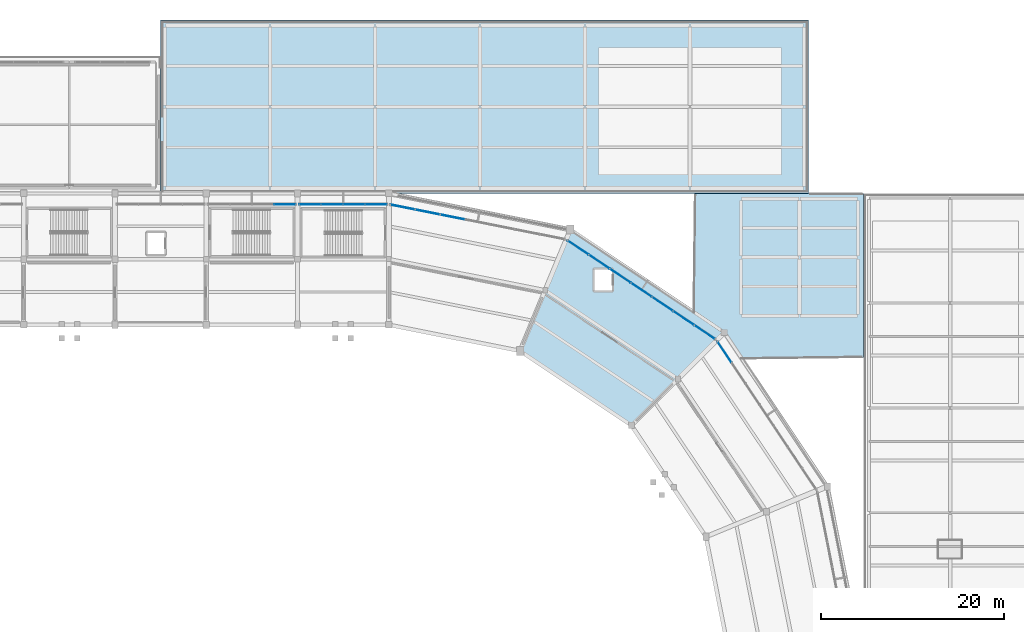
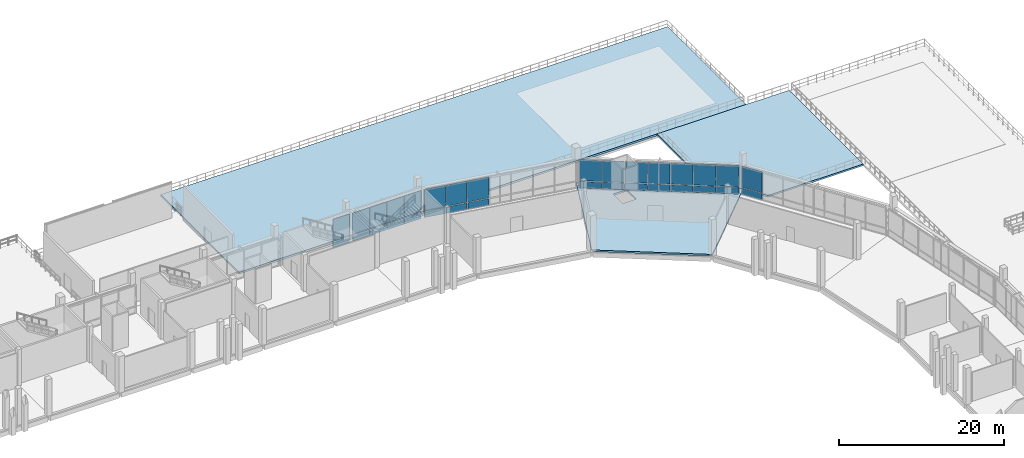
# One storey, part 68 of 111: 32 plates, 3 slabs, 5 elements without a shape of their own.
"""IFC4 building model written with IfcOpenShell, lengths in metres."""

import ifcopenshell
import ifcopenshell.guid

model = None  # the IFC model being written
_history = None  # IfcOwnerHistory: only IFC2X3 demands one
_inside = {}  # id of a spatial element -> (the spatial element, [elements in it])
_under = {}  # id of a project, library or spatial element -> (it, [spatial elements below it])
_declared = {}  # id of a project -> (the project, [libraries it declares])
_typed = {}  # id of a type object -> (the type object, [elements of that type])
_made_of = {}  # id of a material, layer set ... -> (it, [elements and type objects made of it])


def new_model(schema):
    """Start an empty IFC model of exactly this schema.

    Asked for "IFC4X3", IfcOpenShell would pick the latest addendum, in which some entities
    have other attributes; the version numbers below select the first issue.
    IFC2X3 requires an IfcOwnerHistory on every rooted entity: one is made here for all.
    """
    global model, _history
    if schema == "IFC4X3":
        model = ifcopenshell.file(schema_version=(4, 3, 0, 0))
    else:
        model = ifcopenshell.file(schema=schema)
    _inside.clear()
    _under.clear()
    _declared.clear()
    _typed.clear()
    _made_of.clear()
    _history = None
    if model.schema == "IFC2X3":
        org = make("IfcOrganization", Name="unknown")
        user = make(
            "IfcPersonAndOrganization",
            ThePerson=make("IfcPerson", FamilyName="unknown"),
            TheOrganization=org,
        )
        app = make(
            "IfcApplication",
            ApplicationDeveloper=org,
            Version="unknown",
            ApplicationFullName="unknown",
            ApplicationIdentifier="unknown",
        )
        _history = make(
            "IfcOwnerHistory",
            OwningUser=user,
            OwningApplication=app,
            ChangeAction="ADDED",
            CreationDate=0,
        )
    return model


def make(cls, **values):
    """One entity of the class cls with the attributes given. An attribute that is None is left unset."""
    return model.create_entity(
        cls, **{name: value for name, value in values.items() if value is not None}
    )


def rooted(cls, **values):
    """An entity with a GlobalId (a new one), such as an element, a storey or a relation."""
    return make(cls, GlobalId=ifcopenshell.guid.new(), OwnerHistory=_history, **values)


def si_unit(unit_type, name, prefix=None):
    """IfcSIUnit, for example si_unit("LENGTHUNIT", "METRE", prefix="MILLI")."""
    return make("IfcSIUnit", UnitType=unit_type, Prefix=prefix, Name=name)


def assignment(units):
    """IfcUnitAssignment: the units of a project."""
    return None if units is None else make("IfcUnitAssignment", Units=units)


def point(xyz):
    """IfcCartesianPoint."""
    return None if xyz is None else make("IfcCartesianPoint", Coordinates=xyz)


def direction(xyz):
    """IfcDirection."""
    return None if xyz is None else make("IfcDirection", DirectionRatios=xyz)


def frame(location, z_axis=None, x_axis=None):
    """IfcAxis2Placement3D, a coordinate frame: its origin and axes. An axis left out is left unset."""
    return make(
        "IfcAxis2Placement3D",
        Location=point(location),
        Axis=direction(z_axis),
        RefDirection=direction(x_axis),
    )


def frame_2d(location, x_axis=None):
    """IfcAxis2Placement2D, a coordinate frame in the plane: its origin and x axis."""
    return make(
        "IfcAxis2Placement2D", Location=point(location), RefDirection=direction(x_axis)
    )


def origin():
    """The frame at (0, 0, 0) with its axes left unset."""
    return frame((0.0, 0.0, 0.0))


def origin_2d():
    """The frame at (0, 0) in the plane with its x axis left unset."""
    return frame_2d((0.0, 0.0))


def place(relative_to, where):
    """IfcLocalPlacement: puts the frame where relative to a parent placement (None: the world)."""
    return make(
        "IfcLocalPlacement", PlacementRelTo=relative_to, RelativePlacement=where
    )


def context(
    kind, dimensions, precision=None, world=None, true_north=None, identifier=None
):
    """IfcGeometricRepresentationContext, for example the 3D "Model" context."""
    return make(
        "IfcGeometricRepresentationContext",
        ContextIdentifier=identifier,
        ContextType=kind,
        CoordinateSpaceDimension=dimensions,
        Precision=precision,
        WorldCoordinateSystem=world,
        TrueNorth=true_north,
    )


def subcontext(parent, identifier, kind, view, scale=None):
    """IfcGeometricRepresentationSubContext, for example "Body" below "Model"."""
    return make(
        "IfcGeometricRepresentationSubContext",
        ContextIdentifier=identifier,
        ContextType=kind,
        ParentContext=parent,
        TargetScale=scale,
        TargetView=view,
    )


def project(units=None, contexts=None):
    """IfcProject with its units and contexts."""
    return rooted(
        "IfcProject",
        Name="project",
        RepresentationContexts=contexts,
        UnitsInContext=assignment(units),
    )


def spatial(cls, under=None, at=None, **own):
    """A site, building, storey or space (cls), placed at a placement, below another one or the project."""
    s = rooted(cls, ObjectPlacement=at, **own)
    if under is not None:
        _under.setdefault(under.id(), (under, []))[1].append(s)
    return s


def polyline(points):
    """IfcPolyline through the points."""
    return make("IfcPolyline", Points=[point(p) for p in points])


def profile(cls, at=None, kind="AREA", **sizes):
    """A parametric profile (cls). Its sizes go by their IFC names, for example OverallWidth=200.0."""
    return make(cls, ProfileType=kind, Position=at, **sizes)


def rectangle(**sizes):
    """IfcRectangleProfileDef."""
    return profile("IfcRectangleProfileDef", **sizes)


def outline(outer, holes=None, kind="AREA"):
    """IfcArbitraryClosedProfileDef: a profile drawn as a closed curve; with holes, ...WithVoids."""
    if holes is None:
        return make("IfcArbitraryClosedProfileDef", ProfileType=kind, OuterCurve=outer)
    return make(
        "IfcArbitraryProfileDefWithVoids",
        ProfileType=kind,
        OuterCurve=outer,
        InnerCurves=holes,
    )


def extrude(swept, where, along, depth):
    """IfcExtrudedAreaSolid: the profile swept, set in the frame where, extruded along a direction by depth."""
    return make(
        "IfcExtrudedAreaSolid",
        SweptArea=swept,
        Position=where,
        ExtrudedDirection=direction(along),
        Depth=depth,
    )


def shape(context_of_items, identifier, shape_type, items):
    """IfcShapeRepresentation: the items that make up one representation, for example the "Body"."""
    return make(
        "IfcShapeRepresentation",
        ContextOfItems=context_of_items,
        RepresentationIdentifier=identifier,
        RepresentationType=shape_type,
        Items=items,
    )


def material(Name=None, Category=None):
    """IfcMaterial."""
    return make("IfcMaterial", Name=Name, Category=Category)


def layer(
    of_material, thickness, ventilated=None, Name=None, Category=None, Priority=None
):
    """IfcMaterialLayer: one layer of a wall or slab, of a material (None: an air gap)."""
    return make(
        "IfcMaterialLayer",
        Material=of_material,
        LayerThickness=thickness,
        IsVentilated=ventilated,
        Name=Name,
        Category=Category,
        Priority=Priority,
    )


def layer_set(layers, Name=None):
    """IfcMaterialLayerSet."""
    return make("IfcMaterialLayerSet", MaterialLayers=layers, LayerSetName=Name)


def made_of(thing, what):
    """Note that an element or type object is made of a material, layer set ...; save() writes the relation."""
    if what is not None:
        _made_of.setdefault(what.id(), (what, []))[1].append(thing)
    return thing


def type_object(cls, material=None, **own):
    """A type object (cls), such as IfcWallType, which elements share."""
    return made_of(rooted(cls, **own), material)


def element(
    cls,
    number,
    at=None,
    inside=None,
    cuts=None,
    type_object=None,
    material=None,
    context=None,
    identifier="Body",
    shape_type=None,
    held_by="IfcProductDefinitionShape",
    body=None,
    shapes=None,
    **own,
):
    """One element of the class cls, such as IfcWall. Its Tag is "e" and its number.

    at: its placement. inside: the storey or other place that contains it. cuts: it is an
    opening in that element (IfcRelVoidsElement). A single representation is given by context,
    identifier, shape_type and body (its items); several are given by shapes. held_by: the class
    of the entity that holds the representations. save() writes the other relations.
    """
    e = rooted(cls, Tag="e%d" % number, ObjectPlacement=at, **own)
    if body is not None:
        shapes = [shape(context, identifier, shape_type, body)]
    if shapes is not None:
        e.Representation = make(held_by, Representations=shapes)
    if inside is not None:
        _inside.setdefault(inside.id(), (inside, []))[1].append(e)
    if cuts is not None:
        rooted(
            "IfcRelVoidsElement", RelatingBuildingElement=cuts, RelatedOpeningElement=e
        )
    if type_object is not None:
        _typed.setdefault(type_object.id(), (type_object, []))[1].append(e)
    return made_of(e, material)


def aggregate(whole, parts):
    """IfcRelAggregates: a whole, such as a stair, and the parts it consists of."""
    return rooted("IfcRelAggregates", RelatingObject=whole, RelatedObjects=parts)


def save(model, path):
    """Write the relations noted so far, then the file.

    IfcRelAggregates (storeys below a building ...), IfcRelContainedInSpatialStructure (elements
    in a storey), IfcRelDefinesByType, IfcRelAssociatesMaterial and IfcRelDeclares: one each for
    every whole, place, type object, material and project.
    """
    for whole, parts in _under.values():
        aggregate(whole, parts)
    for where, things in _inside.values():
        rooted(
            "IfcRelContainedInSpatialStructure",
            RelatedElements=things,
            RelatingStructure=where,
        )
    for kind, things in _typed.values():
        rooted("IfcRelDefinesByType", RelatedObjects=things, RelatingType=kind)
    for what, things in _made_of.values():
        rooted("IfcRelAssociatesMaterial", RelatedObjects=things, RelatingMaterial=what)
    for by, libraries in _declared.values():
        rooted("IfcRelDeclares", RelatingContext=by, RelatedDefinitions=libraries)
    model.write(path)


model = new_model("IFC4")

# Units and contexts
model_context = context("Model", 3, precision=1e-05, world=origin(), true_north=direction((0.0, 1.0)))
body_context = subcontext(model_context, "Body", "Model", "MODEL_VIEW")
ifc_project = project(units=[si_unit("LENGTHUNIT", "METRE"), si_unit("AREAUNIT", "SQUARE_METRE"), si_unit("VOLUMEUNIT", "CUBIC_METRE"), si_unit("PLANEANGLEUNIT", "RADIAN"), si_unit("MASSUNIT", "GRAM", prefix="KILO")], contexts=[model_context])

# Site, building, storey
site_placement = place(None, origin())
site = spatial("IfcSite", under=ifc_project, at=site_placement, CompositionType="ELEMENT")
building_placement = place(site_placement, origin())
building = spatial("IfcBuilding", under=site, at=building_placement, Name="Candeia Ridge Stadium", CompositionType="ELEMENT")
storey_placement = place(building_placement, frame((0.0, 0.0, 16.199951171875)))
storey = spatial("IfcBuildingStorey", under=building, at=storey_placement, Name="L03", CompositionType="ELEMENT", Elevation=16.199951171875)

# Slabs
ifc_material_1 = material(Name="Concrete C40/50", Category="concrete")
ifc_layer_1 = layer(ifc_material_1, 0.25, Name="Concrete C40/50", Category="concrete")
ifc_layer_set_1 = layer_set([ifc_layer_1], Name="Concrete C40/50")
slab_type_1 = type_object("IfcSlabType", Name="Hospitality & Museum Slab 250", PredefinedType="FLOOR", material=ifc_layer_set_1)
slab_1_placement = place(storey_placement, frame((0.0, 0.0, -0.25)))
element("IfcSlab", 1, at=slab_1_placement, inside=storey, type_object=slab_type_1, Name="Bowl concourse sector slab L03 bay 35 SLB-L03-0143", PredefinedType="FLOOR", context=body_context, shape_type="SweptSolid", body=[
    extrude(outline(polyline([(155.388916015625, 129.73779296875), (160.8994140625, 143.041748046875), (177.76953125, 131.76953125), (167.587158203125, 121.587158203125), (155.388916015625, 129.73779296875)]), holes=[polyline([(165.449951171875, 136.35009765625), (165.449951171875, 138.64990234375), (163.550048828125, 138.64990234375), (163.550048828125, 136.35009765625), (165.449951171875, 136.35009765625)])]), origin(), (0.0, 0.0, 1.0), 0.25),
])
slab_2_placement = place(storey_placement, frame((0.0, 0.0, -0.25)))
element("IfcSlab", 2, at=slab_2_placement, inside=storey, type_object=slab_type_1, Name="Wing floor slab sp_ne SLB-L03-0297", PredefinedType="FLOOR", context=body_context, shape_type="SweptSolid", body=[
    extrude(outline(polyline([(193.0, 147.0), (193.0, 129.0), (179.626220703125, 129.0), (177.773681640625, 131.772216796875), (177.7734375, 131.772705078125), (177.773193359375, 131.773193359375), (177.772705078125, 131.7734375), (177.772216796875, 131.773681640625), (174.5, 133.960205078125), (174.5, 147.0), (193.0, 147.0)])), origin(), (0.0, 0.0, 1.0), 0.25),
])

# Curtain wall, plate
ifc_material_2 = material(Name="Aluminium Anodized Warm Bronze", Category="aluminium")
curtain_wall_type = type_object("IfcCurtainWallType", Name="Concourse Recessed Unitised Curtain Wall", PredefinedType="NOTDEFINED", material=ifc_material_2)
curtain_wall_1_placement = place(storey_placement, origin())
curtain_wall_1 = element("IfcCurtainWall", 3, at=curtain_wall_1_placement, inside=storey, type_object=curtain_wall_type, Name="Unitised curtain wall CW-BWL-L03-01", PredefinedType="NOTDEFINED")
ifc_material_3 = material(Name="Aluminium Insulated Spandrel", Category="aluminium")
ifc_layer_2 = layer(ifc_material_3, 0.06494140625, Name="Aluminium Insulated Spandrel", Category="aluminium")
ifc_layer_set_2 = layer_set([ifc_layer_2], Name="Aluminium Insulated Spandrel")
plate_type_1 = type_object("IfcPlateType", Name="Insulated Bronze Spandrel Panel SP1", PredefinedType="CURTAIN_PANEL", material=ifc_layer_set_2)
plate_1_placement = place(storey_placement, frame((129.614990234375, 145.800048828125, 0.0400390625), z_axis=(0.0, 0.0, 1.0), x_axis=(-1.0, 0.0, 0.0)))
plate_1 = element("IfcPlate", 4, at=plate_1_placement, type_object=plate_type_1, Name="Curtain wall spandrel panel CW-BWL-L03-01-SP0", PredefinedType="CURTAIN_PANEL", context=body_context, shape_type="SweptSolid", body=[
    extrude(rectangle(XDim=2.340087890625, YDim=0.06494140625, at=origin_2d()), origin(), (0.0, 0.0, 1.0), 0.981201171875),
])

curtain_wall_2_placement = place(storey_placement, origin())
curtain_wall_2 = element("IfcCurtainWall", 5, at=curtain_wall_2_placement, inside=storey, type_object=curtain_wall_type, Name="Unitised curtain wall CW-BWL-L03-33", PredefinedType="NOTDEFINED")
plate_2_placement = place(storey_placement, frame((177.793212890625, 129.615478515625, 0.0400390625), z_axis=(0.0, 0.0, 1.0), x_axis=(-0.555571447533, 0.831468800789, 0.0)))
plate_2 = element("IfcPlate", 6, at=plate_2_placement, type_object=plate_type_1, Name="Curtain wall spandrel panel CW-BWL-L03-33-SP6", PredefinedType="CURTAIN_PANEL", context=body_context, shape_type="SweptSolid", body=[
    extrude(rectangle(XDim=2.710205078125, YDim=0.06494140625, at=origin_2d()), origin(), (0.0, 0.0, 1.0), 0.97119140625),
])

# Curtain wall, plates
curtain_wall_3_placement = place(storey_placement, origin())
curtain_wall_3 = element("IfcCurtainWall", 7, at=curtain_wall_3_placement, inside=storey, type_object=curtain_wall_type, Name="Unitised curtain wall CW-BWL-L03-34", PredefinedType="NOTDEFINED")
ifc_layer_3 = layer(ifc_material_3, 0.06494140625, Name="Aluminium Insulated Spandrel", Category="aluminium")
ifc_layer_set_3 = layer_set([ifc_layer_3], Name="Aluminium Insulated Spandrel")
plate_type_2 = type_object("IfcPlateType", Name="Insulated Bronze Spandrel Panel SP2", PredefinedType="CURTAIN_PANEL", material=ifc_layer_set_3)
plate_3_placement = place(storey_placement, frame((175.615478515625, 131.793212890625, 0.0400390625), z_axis=(0.0, 0.0, 1.0), x_axis=(-0.831468800789, 0.555571447533, 0.0)))
plate_3 = element("IfcPlate", 8, at=plate_3_placement, type_object=plate_type_2, Name="Curtain wall spandrel panel CW-BWL-L03-34-SP0", PredefinedType="CURTAIN_PANEL", context=body_context, shape_type="SweptSolid", body=[
    extrude(rectangle(XDim=2.710205078125, YDim=0.06494140625, at=origin_2d()), origin(), (0.0, 0.0, 1.0), 0.981201171875),
])
plate_4_placement = place(storey_placement, frame((173.303955078125, 133.337890625, 0.0400390625), z_axis=(0.0, 0.0, 1.0), x_axis=(-0.831468800789, 0.555571447533, 0.0)))
plate_4 = element("IfcPlate", 9, at=plate_4_placement, type_object=plate_type_2, Name="Curtain wall spandrel panel CW-BWL-L03-34-SP1", PredefinedType="CURTAIN_PANEL", context=body_context, shape_type="SweptSolid", body=[
    extrude(rectangle(XDim=2.710205078125, YDim=0.06494140625, at=origin_2d()), origin(), (0.0, 0.0, 1.0), 0.981201171875),
])
plate_5_placement = place(storey_placement, frame((170.9921875, 134.882568359375, 0.0400390625), z_axis=(0.0, 0.0, 1.0), x_axis=(-0.831468800789, 0.555571447533, 0.0)))
plate_5 = element("IfcPlate", 10, at=plate_5_placement, type_object=plate_type_2, Name="Curtain wall spandrel panel CW-BWL-L03-34-SP2", PredefinedType="CURTAIN_PANEL", context=body_context, shape_type="SweptSolid", body=[
    extrude(rectangle(XDim=2.710205078125, YDim=0.06494140625, at=origin_2d()), origin(), (0.0, 0.0, 1.0), 0.981201171875),
])
plate_6_placement = place(storey_placement, frame((168.6806640625, 136.427001953125, 0.0400390625), z_axis=(0.0, 0.0, 1.0), x_axis=(-0.831468800789, 0.555571447533, 0.0)))
plate_6 = element("IfcPlate", 11, at=plate_6_placement, type_object=plate_type_2, Name="Curtain wall spandrel panel CW-BWL-L03-34-SP3", PredefinedType="CURTAIN_PANEL", context=body_context, shape_type="SweptSolid", body=[
    extrude(rectangle(XDim=2.710205078125, YDim=0.06494140625, at=origin_2d()), origin(), (0.0, 0.0, 1.0), 0.981201171875),
])
plate_7_placement = place(storey_placement, frame((166.369140625, 137.9716796875, 0.0400390625), z_axis=(0.0, 0.0, 1.0), x_axis=(-0.831468800789, 0.555571447533, 0.0)))
plate_7 = element("IfcPlate", 12, at=plate_7_placement, type_object=plate_type_2, Name="Curtain wall spandrel panel CW-BWL-L03-34-SP4", PredefinedType="CURTAIN_PANEL", context=body_context, shape_type="SweptSolid", body=[
    extrude(rectangle(XDim=2.710205078125, YDim=0.06494140625, at=origin_2d()), origin(), (0.0, 0.0, 1.0), 0.981201171875),
])
plate_8_placement = place(storey_placement, frame((164.057373046875, 139.51611328125, 0.0400390625), z_axis=(0.0, 0.0, 1.0), x_axis=(-0.831468800789, 0.555571447533, 0.0)))
plate_8 = element("IfcPlate", 13, at=plate_8_placement, type_object=plate_type_2, Name="Curtain wall spandrel panel CW-BWL-L03-34-SP5", PredefinedType="CURTAIN_PANEL", context=body_context, shape_type="SweptSolid", body=[
    extrude(rectangle(XDim=2.710205078125, YDim=0.06494140625, at=origin_2d()), origin(), (0.0, 0.0, 1.0), 0.981201171875),
])
plate_9_placement = place(storey_placement, frame((161.745849609375, 141.060791015625, 0.0400390625), z_axis=(0.0, 0.0, 1.0), x_axis=(-0.831468800789, 0.555571447533, 0.0)))
plate_9 = element("IfcPlate", 14, at=plate_9_placement, type_object=plate_type_2, Name="Curtain wall spandrel panel CW-BWL-L03-34-SP6", PredefinedType="CURTAIN_PANEL", context=body_context, shape_type="SweptSolid", body=[
    extrude(rectangle(XDim=2.710205078125, YDim=0.06494140625, at=origin_2d()), origin(), (0.0, 0.0, 1.0), 0.981201171875),
])

curtain_wall_4_placement = place(storey_placement, origin())
curtain_wall_4 = element("IfcCurtainWall", 15, at=curtain_wall_4_placement, inside=storey, type_object=curtain_wall_type, Name="Unitised curtain wall CW-BWL-L03-35", PredefinedType="NOTDEFINED")
ifc_layer_4 = layer(ifc_material_3, 0.06494140625, Name="Aluminium Insulated Spandrel", Category="aluminium")
ifc_layer_set_4 = layer_set([ifc_layer_4], Name="Aluminium Insulated Spandrel")
plate_type_3 = type_object("IfcPlateType", Name="Insulated Bronze Spandrel Panel SP4", PredefinedType="CURTAIN_PANEL", material=ifc_layer_set_4)
plate_10_placement = place(storey_placement, frame((147.993408203125, 144.408935546875, 0.0400390625), z_axis=(0.0, 0.0, 1.0), x_axis=(-0.980785280696, 0.195090320544, 0.0)))
plate_10 = element("IfcPlate", 16, at=plate_10_placement, type_object=plate_type_3, Name="Curtain wall spandrel panel CW-BWL-L03-35-SP4", PredefinedType="CURTAIN_PANEL", context=body_context, shape_type="SweptSolid", body=[
    extrude(rectangle(XDim=2.710205078125, YDim=0.06494140625, at=origin_2d()), origin(), (0.0, 0.0, 1.0), 0.97119140625),
])
plate_11_placement = place(storey_placement, frame((145.2666015625, 144.951416015625, 0.0400390625), z_axis=(0.0, 0.0, 1.0), x_axis=(-0.980785280696, 0.195090320544, 0.0)))
plate_11 = element("IfcPlate", 17, at=plate_11_placement, type_object=plate_type_3, Name="Curtain wall spandrel panel CW-BWL-L03-35-SP5", PredefinedType="CURTAIN_PANEL", context=body_context, shape_type="SweptSolid", body=[
    extrude(rectangle(XDim=2.710205078125, YDim=0.06494140625, at=origin_2d()), origin(), (0.0, 0.0, 1.0), 0.97119140625),
])
plate_12_placement = place(storey_placement, frame((142.539794921875, 145.49365234375, 0.0400390625), z_axis=(0.0, 0.0, 1.0), x_axis=(-0.980785280696, 0.195090320544, 0.0)))
plate_12 = element("IfcPlate", 18, at=plate_12_placement, type_object=plate_type_3, Name="Curtain wall spandrel panel CW-BWL-L03-35-SP6", PredefinedType="CURTAIN_PANEL", context=body_context, shape_type="SweptSolid", body=[
    extrude(rectangle(XDim=2.710205078125, YDim=0.06494140625, at=origin_2d()), origin(), (0.0, 0.0, 1.0), 0.97119140625),
])

curtain_wall_5_placement = place(storey_placement, origin())
curtain_wall_5 = element("IfcCurtainWall", 19, at=curtain_wall_5_placement, inside=storey, type_object=curtain_wall_type, Name="Unitised curtain wall CW-BWL-L03-00", PredefinedType="NOTDEFINED")
ifc_layer_5 = layer(ifc_material_3, 0.06494140625, Name="Aluminium Insulated Spandrel", Category="aluminium")
ifc_layer_set_5 = layer_set([ifc_layer_5], Name="Aluminium Insulated Spandrel")
plate_type_4 = type_object("IfcPlateType", Name="Insulated Bronze Spandrel Panel SP5", PredefinedType="CURTAIN_PANEL", material=ifc_layer_set_5)
plate_13_placement = place(storey_placement, frame((139.614990234375, 145.800048828125, 0.0400390625), z_axis=(0.0, 0.0, 1.0), x_axis=(-1.0, 0.0, 0.0)))
plate_13 = element("IfcPlate", 20, at=plate_13_placement, type_object=plate_type_4, Name="Curtain wall spandrel panel CW-BWL-L03-00-SP0", PredefinedType="CURTAIN_PANEL", context=body_context, shape_type="SweptSolid", body=[
    extrude(rectangle(XDim=2.340087890625, YDim=0.06494140625, at=origin_2d()), origin(), (0.0, 0.0, 1.0), 0.97119140625),
])
plate_14_placement = place(storey_placement, frame((137.205078125, 145.800048828125, 0.0400390625), z_axis=(0.0, 0.0, 1.0), x_axis=(-1.0, 0.0, 0.0)))
plate_14 = element("IfcPlate", 21, at=plate_14_placement, type_object=plate_type_4, Name="Curtain wall spandrel panel CW-BWL-L03-00-SP1", PredefinedType="CURTAIN_PANEL", context=body_context, shape_type="SweptSolid", body=[
    extrude(rectangle(XDim=2.340087890625, YDim=0.06494140625, at=origin_2d()), origin(), (0.0, 0.0, 1.0), 0.97119140625),
])
plate_15_placement = place(storey_placement, frame((134.794921875, 145.800048828125, 0.0400390625), z_axis=(0.0, 0.0, 1.0), x_axis=(-1.0, 0.0, 0.0)))
plate_15 = element("IfcPlate", 22, at=plate_15_placement, type_object=plate_type_4, Name="Curtain wall spandrel panel CW-BWL-L03-00-SP2", PredefinedType="CURTAIN_PANEL", context=body_context, shape_type="SweptSolid", body=[
    extrude(rectangle(XDim=2.340087890625, YDim=0.06494140625, at=origin_2d()), origin(), (0.0, 0.0, 1.0), 0.97119140625),
])
plate_16_placement = place(storey_placement, frame((132.385009765625, 145.800048828125, 0.0400390625), z_axis=(0.0, 0.0, 1.0), x_axis=(-1.0, 0.0, 0.0)))
plate_16 = element("IfcPlate", 23, at=plate_16_placement, type_object=plate_type_4, Name="Curtain wall spandrel panel CW-BWL-L03-00-SP3", PredefinedType="CURTAIN_PANEL", context=body_context, shape_type="SweptSolid", body=[
    extrude(rectangle(XDim=2.340087890625, YDim=0.06494140625, at=origin_2d()), origin(), (0.0, 0.0, 1.0), 0.97119140625),
])

# Slab
ifc_layer_6 = layer(ifc_material_1, 0.280029296875, Name="Concrete C40/50", Category="concrete")
ifc_layer_set_6 = layer_set([ifc_layer_6], Name="Concrete C40/50")
slab_type_2 = type_object("IfcSlabType", Name="Planted Roof Garden Deck 280", PredefinedType="ROOF", material=ifc_layer_set_6)
slab_3_placement = place(storey_placement, frame((0.0, 0.0, -0.280029296875)))
element("IfcSlab", 24, at=slab_3_placement, inside=storey, type_object=slab_type_2, Name="Planted roof garden slab SLB-L03-0292", PredefinedType="ROOF", context=body_context, shape_type="SweptSolid", body=[
    extrude(outline(polyline([(116.0, 147.0), (116.0, 166.0), (187.0, 166.0), (187.0, 147.0), (116.0, 147.0)])), origin(), (0.0, 0.0, 1.0), 0.280029296875),
])

# Plate
ifc_material_4 = material(Name="Tempered Low-E Double Glazing", Category="glass")
ifc_layer_7 = layer(ifc_material_4, 0.035888671875, Name="Tempered Low-E Double Glazing", Category="glass")
ifc_layer_set_7 = layer_set([ifc_layer_7], Name="Tempered Low-E Double Glazing")
plate_type_5 = type_object("IfcPlateType", Name="Solar Control Vision Glass Panel GP1", PredefinedType="CURTAIN_PANEL", material=ifc_layer_set_7)
plate_17_placement = place(storey_placement, frame((177.793212890625, 129.615478515625, 1.09130859375), z_axis=(0.0, 0.0, 1.0), x_axis=(-0.555571447533, 0.831468800789, 0.0)))
plate_17 = element("IfcPlate", 25, at=plate_17_placement, type_object=plate_type_5, Name="Curtain wall vision glass panel CW-BWL-L03-33-GP6", PredefinedType="CURTAIN_PANEL", context=body_context, shape_type="SweptSolid", body=[
    extrude(rectangle(XDim=2.710205078125, YDim=0.035888671875, at=origin_2d()), origin(), (0.0, 0.0, 1.0), 3.07373046875),
])

aggregate(curtain_wall_2, [plate_2, plate_17])

ifc_layer_8 = layer(ifc_material_4, 0.035888671875, Name="Tempered Low-E Double Glazing", Category="glass")
ifc_layer_set_8 = layer_set([ifc_layer_8], Name="Tempered Low-E Double Glazing")
plate_type_6 = type_object("IfcPlateType", Name="Solar Control Vision Glass Panel GP2", PredefinedType="CURTAIN_PANEL", material=ifc_layer_set_8)
plate_18_placement = place(storey_placement, frame((175.615478515625, 131.793212890625, 1.10107421875), z_axis=(0.0, 0.0, 1.0), x_axis=(-0.831468800789, 0.555571447533, 0.0)))
plate_18 = element("IfcPlate", 26, at=plate_18_placement, type_object=plate_type_6, Name="Curtain wall vision glass panel CW-BWL-L03-34-GP0", PredefinedType="CURTAIN_PANEL", context=body_context, shape_type="SweptSolid", body=[
    extrude(rectangle(XDim=2.710205078125, YDim=0.035888671875, at=origin_2d()), origin(), (0.0, 0.0, 1.0), 3.103759765625),
])

plate_19_placement = place(storey_placement, frame((173.303955078125, 133.337890625, 1.10107421875), z_axis=(0.0, 0.0, 1.0), x_axis=(-0.831468800789, 0.555571447533, 0.0)))
plate_19 = element("IfcPlate", 27, at=plate_19_placement, type_object=plate_type_6, Name="Curtain wall vision glass panel CW-BWL-L03-34-GP1", PredefinedType="CURTAIN_PANEL", context=body_context, shape_type="SweptSolid", body=[
    extrude(rectangle(XDim=2.710205078125, YDim=0.035888671875, at=origin_2d()), origin(), (0.0, 0.0, 1.0), 3.103759765625),
])

plate_20_placement = place(storey_placement, frame((170.9921875, 134.882568359375, 1.10107421875), z_axis=(0.0, 0.0, 1.0), x_axis=(-0.831468800789, 0.555571447533, 0.0)))
plate_20 = element("IfcPlate", 28, at=plate_20_placement, type_object=plate_type_6, Name="Curtain wall vision glass panel CW-BWL-L03-34-GP2", PredefinedType="CURTAIN_PANEL", context=body_context, shape_type="SweptSolid", body=[
    extrude(rectangle(XDim=2.710205078125, YDim=0.035888671875, at=origin_2d()), origin(), (0.0, 0.0, 1.0), 3.103759765625),
])

plate_21_placement = place(storey_placement, frame((168.6806640625, 136.427001953125, 1.10107421875), z_axis=(0.0, 0.0, 1.0), x_axis=(-0.831468800789, 0.555571447533, 0.0)))
plate_21 = element("IfcPlate", 29, at=plate_21_placement, type_object=plate_type_6, Name="Curtain wall vision glass panel CW-BWL-L03-34-GP3", PredefinedType="CURTAIN_PANEL", context=body_context, shape_type="SweptSolid", body=[
    extrude(rectangle(XDim=2.710205078125, YDim=0.035888671875, at=origin_2d()), origin(), (0.0, 0.0, 1.0), 3.103759765625),
])

plate_22_placement = place(storey_placement, frame((166.369140625, 137.9716796875, 1.10107421875), z_axis=(0.0, 0.0, 1.0), x_axis=(-0.831468800789, 0.555571447533, 0.0)))
plate_22 = element("IfcPlate", 30, at=plate_22_placement, type_object=plate_type_6, Name="Curtain wall vision glass panel CW-BWL-L03-34-GP4", PredefinedType="CURTAIN_PANEL", context=body_context, shape_type="SweptSolid", body=[
    extrude(rectangle(XDim=2.710205078125, YDim=0.035888671875, at=origin_2d()), origin(), (0.0, 0.0, 1.0), 3.103759765625),
])

plate_23_placement = place(storey_placement, frame((164.057373046875, 139.51611328125, 1.10107421875), z_axis=(0.0, 0.0, 1.0), x_axis=(-0.831468800789, 0.555571447533, 0.0)))
plate_23 = element("IfcPlate", 31, at=plate_23_placement, type_object=plate_type_6, Name="Curtain wall vision glass panel CW-BWL-L03-34-GP5", PredefinedType="CURTAIN_PANEL", context=body_context, shape_type="SweptSolid", body=[
    extrude(rectangle(XDim=2.710205078125, YDim=0.035888671875, at=origin_2d()), origin(), (0.0, 0.0, 1.0), 3.103759765625),
])

plate_24_placement = place(storey_placement, frame((161.745849609375, 141.060791015625, 1.10107421875), z_axis=(0.0, 0.0, 1.0), x_axis=(-0.831468800789, 0.555571447533, 0.0)))
plate_24 = element("IfcPlate", 32, at=plate_24_placement, type_object=plate_type_6, Name="Curtain wall vision glass panel CW-BWL-L03-34-GP6", PredefinedType="CURTAIN_PANEL", context=body_context, shape_type="SweptSolid", body=[
    extrude(rectangle(XDim=2.710205078125, YDim=0.035888671875, at=origin_2d()), origin(), (0.0, 0.0, 1.0), 3.103759765625),
])

aggregate(curtain_wall_3, [plate_3, plate_18, plate_4, plate_19, plate_5, plate_20, plate_6, plate_21, plate_7, plate_22, plate_8, plate_23, plate_9, plate_24])

ifc_layer_9 = layer(ifc_material_4, 0.035888671875, Name="Tempered Low-E Double Glazing", Category="glass")
ifc_layer_set_9 = layer_set([ifc_layer_9], Name="Tempered Low-E Double Glazing")
plate_type_7 = type_object("IfcPlateType", Name="Solar Control Vision Glass Panel GP5", PredefinedType="CURTAIN_PANEL", material=ifc_layer_set_9)
plate_25_placement = place(storey_placement, frame((147.993408203125, 144.408935546875, 1.09130859375), z_axis=(0.0, 0.0, 1.0), x_axis=(-0.980785280696, 0.195090320544, 0.0)))
plate_25 = element("IfcPlate", 33, at=plate_25_placement, type_object=plate_type_7, Name="Curtain wall vision glass panel CW-BWL-L03-35-GP4", PredefinedType="CURTAIN_PANEL", context=body_context, shape_type="SweptSolid", body=[
    extrude(rectangle(XDim=2.710205078125, YDim=0.035888671875, at=origin_2d()), origin(), (0.0, 0.0, 1.0), 3.07373046875),
])

plate_26_placement = place(storey_placement, frame((145.2666015625, 144.951416015625, 1.09130859375), z_axis=(0.0, 0.0, 1.0), x_axis=(-0.980785280696, 0.195090320544, 0.0)))
plate_26 = element("IfcPlate", 34, at=plate_26_placement, type_object=plate_type_7, Name="Curtain wall vision glass panel CW-BWL-L03-35-GP5", PredefinedType="CURTAIN_PANEL", context=body_context, shape_type="SweptSolid", body=[
    extrude(rectangle(XDim=2.710205078125, YDim=0.035888671875, at=origin_2d()), origin(), (0.0, 0.0, 1.0), 3.07373046875),
])

plate_27_placement = place(storey_placement, frame((142.539794921875, 145.49365234375, 1.09130859375), z_axis=(0.0, 0.0, 1.0), x_axis=(-0.980785280696, 0.195090320544, 0.0)))
plate_27 = element("IfcPlate", 35, at=plate_27_placement, type_object=plate_type_7, Name="Curtain wall vision glass panel CW-BWL-L03-35-GP6", PredefinedType="CURTAIN_PANEL", context=body_context, shape_type="SweptSolid", body=[
    extrude(rectangle(XDim=2.710205078125, YDim=0.035888671875, at=origin_2d()), origin(), (0.0, 0.0, 1.0), 3.07373046875),
])

aggregate(curtain_wall_4, [plate_10, plate_25, plate_11, plate_26, plate_12, plate_27])

ifc_layer_10 = layer(ifc_material_4, 0.035888671875, Name="Tempered Low-E Double Glazing", Category="glass")
ifc_layer_set_10 = layer_set([ifc_layer_10], Name="Tempered Low-E Double Glazing")
plate_type_8 = type_object("IfcPlateType", Name="Solar Control Vision Glass Panel GP6", PredefinedType="CURTAIN_PANEL", material=ifc_layer_set_10)
plate_28_placement = place(storey_placement, frame((139.614990234375, 145.800048828125, 1.09130859375), z_axis=(0.0, 0.0, 1.0), x_axis=(-1.0, 0.0, 0.0)))
plate_28 = element("IfcPlate", 36, at=plate_28_placement, type_object=plate_type_8, Name="Curtain wall vision glass panel CW-BWL-L03-00-GP0", PredefinedType="CURTAIN_PANEL", context=body_context, shape_type="SweptSolid", body=[
    extrude(rectangle(XDim=2.340087890625, YDim=0.035888671875, at=origin_2d()), origin(), (0.0, 0.0, 1.0), 3.07373046875),
])

plate_29_placement = place(storey_placement, frame((137.205078125, 145.800048828125, 1.09130859375), z_axis=(0.0, 0.0, 1.0), x_axis=(-1.0, 0.0, 0.0)))
plate_29 = element("IfcPlate", 37, at=plate_29_placement, type_object=plate_type_8, Name="Curtain wall vision glass panel CW-BWL-L03-00-GP1", PredefinedType="CURTAIN_PANEL", context=body_context, shape_type="SweptSolid", body=[
    extrude(rectangle(XDim=2.340087890625, YDim=0.035888671875, at=origin_2d()), origin(), (0.0, 0.0, 1.0), 3.07373046875),
])

plate_30_placement = place(storey_placement, frame((134.794921875, 145.800048828125, 1.09130859375), z_axis=(0.0, 0.0, 1.0), x_axis=(-1.0, 0.0, 0.0)))
plate_30 = element("IfcPlate", 38, at=plate_30_placement, type_object=plate_type_8, Name="Curtain wall vision glass panel CW-BWL-L03-00-GP2", PredefinedType="CURTAIN_PANEL", context=body_context, shape_type="SweptSolid", body=[
    extrude(rectangle(XDim=2.340087890625, YDim=0.035888671875, at=origin_2d()), origin(), (0.0, 0.0, 1.0), 3.07373046875),
])

plate_31_placement = place(storey_placement, frame((132.385009765625, 145.800048828125, 1.09130859375), z_axis=(0.0, 0.0, 1.0), x_axis=(-1.0, 0.0, 0.0)))
plate_31 = element("IfcPlate", 39, at=plate_31_placement, type_object=plate_type_8, Name="Curtain wall vision glass panel CW-BWL-L03-00-GP3", PredefinedType="CURTAIN_PANEL", context=body_context, shape_type="SweptSolid", body=[
    extrude(rectangle(XDim=2.340087890625, YDim=0.035888671875, at=origin_2d()), origin(), (0.0, 0.0, 1.0), 3.07373046875),
])

aggregate(curtain_wall_5, [plate_13, plate_28, plate_14, plate_29, plate_15, plate_30, plate_16, plate_31])

ifc_layer_11 = layer(ifc_material_4, 0.035888671875, Name="Tempered Low-E Double Glazing", Category="glass")
ifc_layer_set_11 = layer_set([ifc_layer_11], Name="Tempered Low-E Double Glazing")
plate_type_9 = type_object("IfcPlateType", Name="Solar Control Vision Glass Panel GP7", PredefinedType="CURTAIN_PANEL", material=ifc_layer_set_11)
plate_32_placement = place(storey_placement, frame((129.614990234375, 145.800048828125, 1.10107421875), z_axis=(0.0, 0.0, 1.0), x_axis=(-1.0, 0.0, 0.0)))
plate_32 = element("IfcPlate", 40, at=plate_32_placement, type_object=plate_type_9, Name="Curtain wall vision glass panel CW-BWL-L03-01-GP0", PredefinedType="CURTAIN_PANEL", context=body_context, shape_type="SweptSolid", body=[
    extrude(rectangle(XDim=2.340087890625, YDim=0.035888671875, at=origin_2d()), origin(), (0.0, 0.0, 1.0), 3.103759765625),
])

aggregate(curtain_wall_1, [plate_1, plate_32])

save(model, "model.ifc")
